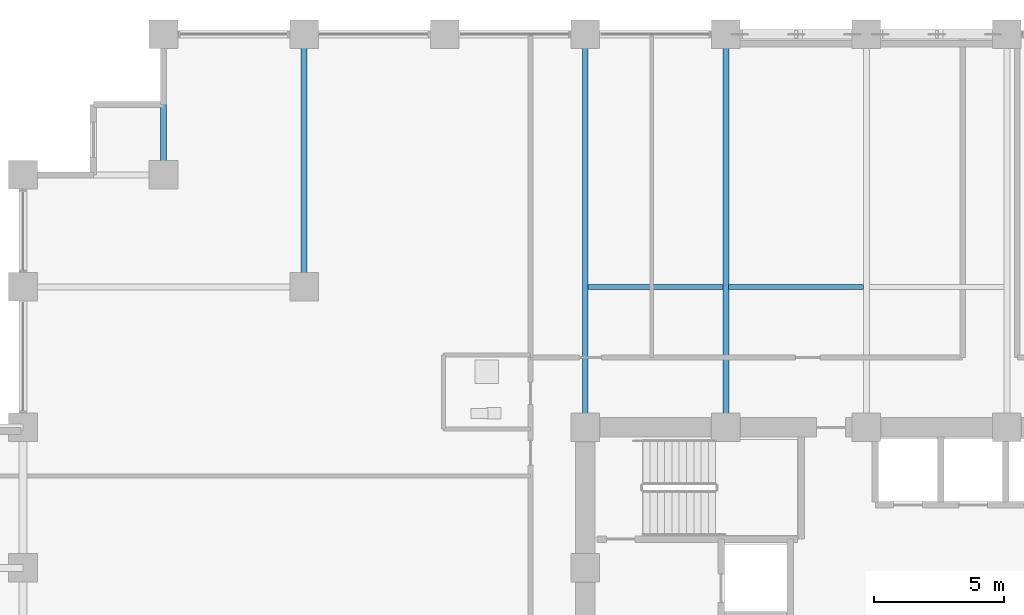
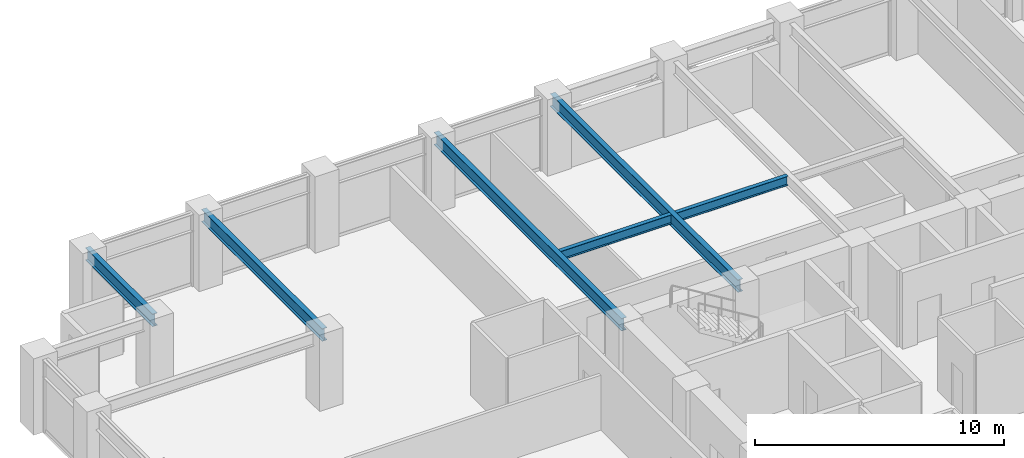
# One storey, part 12 of 26: 6 beams.
"""IFC4 building model written with IfcOpenShell, lengths in metres."""

from ifc_helpers import new_model, si_unit, direction, frame, origin, origin_2d, place, context, subcontext, project, spatial, i_section, extrude, material, material_profile, profile_set, type_object, element, save


model = new_model("IFC4")

# Units and contexts
model_context = context("Model", 3, precision=1e-05, world=origin(), true_north=direction((0.0, 1.0)))
body_context = subcontext(model_context, "Body", "Model", "MODEL_VIEW")
ifc_project = project(units=[si_unit("LENGTHUNIT", "METRE"), si_unit("AREAUNIT", "SQUARE_METRE"), si_unit("VOLUMEUNIT", "CUBIC_METRE"), si_unit("PLANEANGLEUNIT", "RADIAN"), si_unit("MASSUNIT", "GRAM", prefix="KILO")], contexts=[model_context])

# Site, building, storey
site_placement = place(None, origin())
site = spatial("IfcSite", under=ifc_project, at=site_placement, CompositionType="ELEMENT")
building_placement = place(site_placement, origin())
building = spatial("IfcBuilding", under=site, at=building_placement, Name="Surkhivell Harbour Commons", CompositionType="ELEMENT")
storey_placement = place(building_placement, frame((0.0, 0.0, 102.0)))
storey = spatial("IfcBuildingStorey", under=building, at=storey_placement, Name="L26", CompositionType="ELEMENT", Elevation=102.0)

# Beams
ifc_material = material(Name="Steel S355", Category="steel")
ifc_material_profile_1 = material_profile(ifc_material, i_section(OverallWidth=0.22998046875, OverallDepth=0.616943359375, WebThickness=0.01318359375, FlangeThickness=0.022216796875, at=origin_2d()), Name="UB610x229x140")
ifc_profile_set_1 = profile_set([ifc_material_profile_1], Name="Steel S355")
beam_type_1 = type_object("IfcBeamType", Name="BM-GRD-610B", PredefinedType="BEAM", material=ifc_profile_set_1)
beam_1_placement = place(storey_placement, frame((-27.0, 20.5, 3.261474609375), z_axis=(0.0, 1.0, 0.0), x_axis=(-1.0, 0.0, 0.0)))
element("IfcBeam", 1, at=beam_1_placement, inside=storey, type_object=beam_type_1, Name="L26 Floor Girder (-27.0,20.5)", PredefinedType="BEAM", context=body_context, shape_type="SweptSolid", body=[
    extrude(i_section(OverallWidth=0.22998046875, OverallDepth=0.616943359375, WebThickness=0.01318359375, FlangeThickness=0.022216796875, at=origin_2d()), origin(), (0.0, 0.0, 1.0), 5.39990234375),
])
beam_2_placement = place(storey_placement, frame((-21.60009765625, 16.199951171875, 3.261474609375), z_axis=(0.0, 1.0, 0.0), x_axis=(-1.0, 0.0, 0.0)))
element("IfcBeam", 2, at=beam_2_placement, inside=storey, type_object=beam_type_1, Name="L26 Floor Girder (-21.6,16.2)", PredefinedType="BEAM", context=body_context, shape_type="SweptSolid", body=[
    extrude(i_section(OverallWidth=0.22998046875, OverallDepth=0.616943359375, WebThickness=0.01318359375, FlangeThickness=0.022216796875, at=origin_2d()), origin(), (0.0, 0.0, 1.0), 9.699951171875),
])
for number, where, z_axis, x_axis, name in (
    (3, (-10.800048828125, 10.800048828125, 3.261474609375), (0.0, 1.0, 0.0), (-1.0, 0.0, 0.0), "L26 Floor Girder (-10.8,10.8)"),
    (4, (-5.39990234375, 10.800048828125, 3.261474609375), (0.0, 1.0, 0.0), (-1.0, 0.0, 0.0), "L26 Floor Girder (-5.4,10.8)"),
):
    element("IfcBeam", number, at=place(storey_placement, frame(where, z_axis=z_axis, x_axis=x_axis)), inside=storey, type_object=beam_type_1, Name=name, PredefinedType="BEAM", context=body_context, shape_type="SweptSolid", body=[
        extrude(i_section(OverallWidth=0.22998046875, OverallDepth=0.616943359375, WebThickness=0.01318359375, FlangeThickness=0.022216796875, at=origin_2d()), origin(), (0.0, 0.0, 1.0), 15.099853515625),
    ])
ifc_material_profile_2 = material_profile(ifc_material, i_section(OverallWidth=0.18994140625, OverallDepth=0.45703125, WebThickness=0.009033203125, FlangeThickness=0.014404296875, at=origin_2d()), Name="UB457x191x74")
ifc_profile_set_2 = profile_set([ifc_material_profile_2], Name="Steel S355")
beam_type_2 = type_object("IfcBeamType", Name="BM-JST-457B", PredefinedType="JOIST", material=ifc_profile_set_2)
for number, where, z_axis, x_axis, name in (
    (5, (-10.68701171875, 16.199951171875, 3.341552734375), (1.0, 0.0, 0.0), (0.0, 1.0, 0.0), "L26 North Composite Joist (-10.8)"),
    (6, (-5.287109375, 16.199951171875, 3.341552734375), (1.0, 0.0, 0.0), (0.0, 1.0, 0.0), "L26 North Composite Joist (-5.4)"),
):
    element("IfcBeam", number, at=place(storey_placement, frame(where, z_axis=z_axis, x_axis=x_axis)), inside=storey, type_object=beam_type_2, Name=name, PredefinedType="JOIST", context=body_context, shape_type="SweptSolid", body=[
        extrude(i_section(OverallWidth=0.18994140625, OverallDepth=0.45703125, WebThickness=0.009033203125, FlangeThickness=0.014404296875, at=origin_2d()), origin(), (0.0, 0.0, 1.0), 5.174072265625),
    ])

save(model, "model.ifc")
